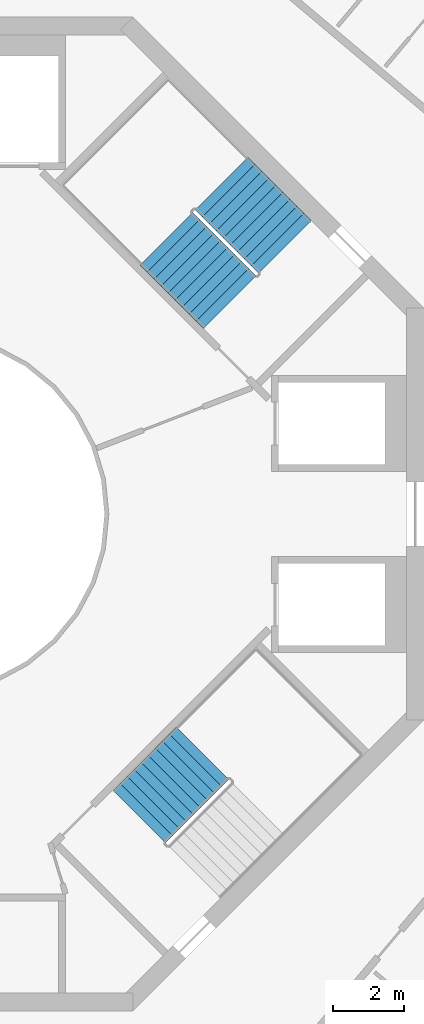
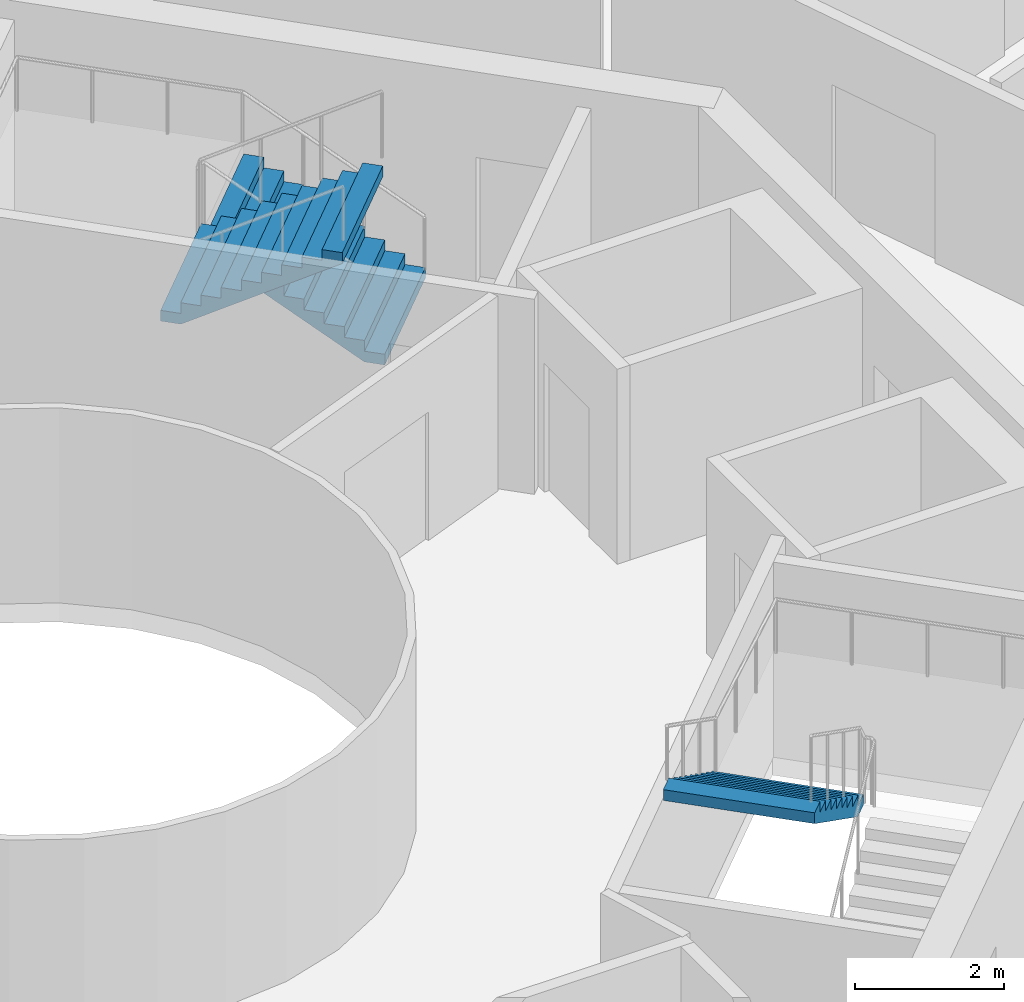
# One storey, part 21 of 22: 3 stair flights, 2 elements without a shape of their own.
"""IFC4 building model written with IfcOpenShell, lengths in metres."""

from ifc_helpers import new_model, si_unit, direction, frame, origin, place, context, subcontext, project, spatial, triangles, material, type_object, element, aggregate, save


model = new_model("IFC4")

# Units and contexts
model_context = context("Model", 3, precision=1e-05, world=origin(), true_north=direction((0.0, 1.0)))
body_context = subcontext(model_context, "Body", "Model", "MODEL_VIEW")
ifc_project = project(units=[si_unit("LENGTHUNIT", "METRE"), si_unit("AREAUNIT", "SQUARE_METRE"), si_unit("VOLUMEUNIT", "CUBIC_METRE"), si_unit("PLANEANGLEUNIT", "RADIAN"), si_unit("MASSUNIT", "GRAM", prefix="KILO")], contexts=[model_context])

# Site, building, storey
site_placement = place(None, origin())
site = spatial("IfcSite", under=ifc_project, at=site_placement, CompositionType="ELEMENT")
building_placement = place(site_placement, origin())
building = spatial("IfcBuilding", under=site, at=building_placement, Name="Verdalira Terraces Hotel", CompositionType="ELEMENT")
storey_placement = place(building_placement, frame((0.0, 0.0, 237.5)))
storey = spatial("IfcBuildingStorey", under=building, at=storey_placement, Name="L58", CompositionType="ELEMENT", Elevation=237.5)

# Stair, stair flights
ifc_material_1 = material(Name="Concrete C40", Category="concrete")
stair_type = type_object("IfcStairType", Name="Core stair 20 risers 2100 mm wide", PredefinedType="HALF_TURN_STAIR", material=ifc_material_1)
stair_1_placement = place(storey_placement, origin())
stair_1 = element("IfcStair", 1, at=stair_1_placement, inside=storey, type_object=stair_type, Name="L58 Exit stair ST1", PredefinedType="HALF_TURN_STAIR")
ifc_material_2 = material(Name="Concrete C40", Category="concrete")
stair_flight_type = type_object("IfcStairFlightType", Name="Core stair flight 20 risers 2100 mm wide", PredefinedType="STRAIGHT", material=ifc_material_2)
stair_flight_1_placement = place(storey_placement, frame((10.076172, 7.530762, 0.0), z_axis=(0.0, 0.0, 1.0), x_axis=(-0.707106781, 0.707106781, 0.0)))
stair_flight_1 = element("IfcStairFlight", 2, at=stair_flight_1_placement, type_object=stair_flight_type, Name="ST1 flight 1", NumberOfRisers=10, NumberOfTreads=9, PredefinedType="STRAIGHT", RiserHeight=0.175, TreadLength=0.28, context=body_context, shape_type="Tessellation", body=[
    triangles([(0.0, 1.050049, 0.0), (0.282715, 1.050049, 0.0), (2.52002, 1.050049, 1.398193), (0.0, -1.050049, 0.0), (0.282715, -1.050049, 0.0), (2.52002, -1.050049, 1.398193), (2.52002, 1.050049, 1.574951), (2.23999, 1.050049, 1.574951), (2.52002, -1.050049, 1.574951), (2.23999, -1.050049, 1.574951), (2.23999, 1.050049, 1.399902), (2.23999, -1.050049, 1.399902), (1.959961, 1.050049, 1.399902), (1.959961, -1.050049, 1.399902), (1.959961, 1.050049, 1.225098), (1.959961, -1.050049, 1.225098), (1.679932, 1.050049, 1.225098), (1.679932, 1.050049, 1.050049), (1.679932, -1.050049, 1.225098), (1.679932, -1.050049, 1.050049), (1.399902, 1.050049, 1.050049), (1.399902, 1.050049, 0.875), (1.399902, -1.050049, 1.050049), (1.399902, -1.050049, 0.875), (1.120117, 1.050049, 0.875), (1.120117, 1.050049, 0.699951), (1.120117, -1.050049, 0.875), (1.120117, -1.050049, 0.699951), (0.840088, 1.050049, 0.699951), (0.840088, 1.050049, 0.524902), (0.840088, -1.050049, 0.699951), (0.840088, -1.050049, 0.524902), (0.560059, 1.050049, 0.524902), (0.560059, 1.050049, 0.350098), (0.560059, -1.050049, 0.524902), (0.560059, -1.050049, 0.350098), (0.280029, 1.050049, 0.350098), (0.280029, 1.050049, 0.175049), (0.280029, -1.050049, 0.350098), (0.280029, -1.050049, 0.175049), (0.0, 1.050049, 0.175049), (0.0, -1.050049, 0.175049), (0.0, -0.984421, 0.0), (0.0, -0.984421, 0.175049), (0.0, -0.918793, 0.0), (0.0, -0.918793, 0.175049), (0.0, -0.853165, 0.0), (0.0, -0.853165, 0.175049), (0.0, -0.787537, 0.0), (0.0, -0.787537, 0.175049), (0.0, -0.721909, 0.0), (0.0, -0.721909, 0.175049), (0.0, -0.656281, 0.0), (0.0, -0.656281, 0.175049), (0.0, -0.590652, 0.0), (0.0, -0.590652, 0.175049), (0.0, -0.525024, 0.0), (0.0, -0.525024, 0.175049), (0.0, -0.459396, 0.0), (0.0, -0.459396, 0.175049), (0.0, -0.393768, 0.0), (0.0, -0.393768, 0.175049), (0.0, -0.32814, 0.0), (0.0, -0.32814, 0.175049), (0.0, -0.262512, 0.0), (0.0, -0.262512, 0.175049), (0.0, -0.196884, 0.0), (0.0, -0.196884, 0.175049), (0.0, -0.131256, 0.0), (0.0, -0.131256, 0.175049), (0.0, -0.065628, 0.0), (0.0, -0.065628, 0.175049), (0.0, 0.0, 0.0), (0.0, 0.0, 0.175049), (0.0, 0.065628, 0.0), (0.0, 0.065628, 0.175049), (0.0, 0.131256, 0.0), (0.0, 0.131256, 0.175049), (0.0, 0.196884, 0.0), (0.0, 0.196884, 0.175049), (0.0, 0.262512, 0.0), (0.0, 0.262512, 0.175049), (0.0, 0.32814, 0.0), (0.0, 0.32814, 0.175049), (0.0, 0.393768, 0.0), (0.0, 0.393768, 0.175049), (0.0, 0.459396, 0.0), (0.0, 0.459396, 0.175049), (0.0, 0.525024, 0.0), (0.0, 0.525024, 0.175049), (0.0, 0.590652, 0.0), (0.0, 0.590652, 0.175049), (0.0, 0.656281, 0.0), (0.0, 0.656281, 0.175049), (0.0, 0.721909, 0.0), (0.0, 0.721909, 0.175049), (0.0, 0.787537, 0.0), (0.0, 0.787537, 0.175049), (0.0, 0.853165, 0.0), (0.0, 0.853165, 0.175049), (0.0, 0.918793, 0.0), (0.0, 0.918793, 0.175049), (0.0, 0.984421, 0.0), (0.0, 0.984421, 0.175049), (2.52002, -0.984421, 1.574951), (2.52002, -0.918793, 1.574951), (2.52002, -0.853165, 1.574951), (2.52002, -0.787537, 1.574951), (2.52002, -0.721909, 1.574951), (2.52002, -0.656281, 1.574951), (2.52002, -0.590652, 1.574951), (2.52002, -0.525024, 1.574951), (2.52002, -0.459396, 1.574951), (2.52002, -0.393768, 1.574951), (2.52002, -0.32814, 1.574951), (2.52002, -0.262512, 1.574951), (2.52002, -0.196884, 1.574951), (2.52002, -0.131256, 1.574951), (2.52002, -0.065628, 1.574951), (2.52002, 0.0, 1.574951), (2.52002, 0.065628, 1.574951), (2.52002, 0.131256, 1.574951), (2.52002, 0.196884, 1.574951), (2.52002, 0.262512, 1.574951), (2.52002, 0.32814, 1.574951), (2.52002, 0.393768, 1.574951), (2.52002, 0.459396, 1.574951), (2.52002, 0.525024, 1.574951), (2.52002, 0.590652, 1.574951), (2.52002, 0.656281, 1.574951), (2.52002, 0.721909, 1.574951), (2.52002, 0.787537, 1.574951), (2.52002, 0.853165, 1.574951), (2.52002, 0.918793, 1.574951), (2.52002, 0.984421, 1.574951), (2.52002, -0.984421, 1.398193), (2.52002, -0.918793, 1.398193), (2.52002, -0.853165, 1.398193), (2.52002, -0.787537, 1.398193), (2.52002, -0.721909, 1.398193), (2.52002, -0.656281, 1.398193), (2.52002, -0.590652, 1.398193), (2.52002, -0.525024, 1.398193), (2.52002, -0.459396, 1.398193), (2.52002, -0.393768, 1.398193), (2.52002, -0.32814, 1.398193), (2.52002, -0.262512, 1.398193), (2.52002, -0.196884, 1.398193), (2.52002, -0.131256, 1.398193), (2.52002, -0.065628, 1.398193), (2.52002, 0.0, 1.398193), (2.52002, 0.065628, 1.398193), (2.52002, 0.131256, 1.398193), (2.52002, 0.196884, 1.398193), (2.52002, 0.262512, 1.398193), (2.52002, 0.32814, 1.398193), (2.52002, 0.393768, 1.398193), (2.52002, 0.459396, 1.398193), (2.52002, 0.525024, 1.398193), (2.52002, 0.590652, 1.398193), (2.52002, 0.656281, 1.398193), (2.52002, 0.721909, 1.398193), (2.52002, 0.787537, 1.398193), (2.52002, 0.853165, 1.398193), (2.52002, 0.918793, 1.398193), (2.52002, 0.984421, 1.398193)], [[1, 3, 2], [4, 5, 6], [3, 8, 7], [6, 9, 10], [3, 11, 8], [6, 10, 12], [3, 13, 11], [6, 12, 14], [3, 15, 13], [6, 14, 16], [15, 18, 17], [16, 19, 20], [3, 18, 15], [6, 16, 20], [18, 22, 21], [20, 23, 24], [3, 22, 18], [6, 20, 24], [22, 26, 25], [24, 27, 28], [3, 26, 22], [6, 24, 28], [26, 30, 29], [28, 31, 32], [3, 30, 26], [6, 28, 32], [1, 30, 3], [4, 6, 32], [30, 34, 33], [32, 35, 36], [34, 38, 37], [36, 39, 40], [30, 38, 34], [32, 36, 40], [1, 38, 30], [4, 32, 40], [38, 1, 41], [40, 42, 4], [4, 44, 43], [4, 42, 44], [43, 46, 45], [43, 44, 46], [45, 48, 47], [45, 46, 48], [47, 50, 49], [47, 48, 50], [49, 52, 51], [49, 50, 52], [51, 54, 53], [51, 52, 54], [53, 56, 55], [53, 54, 56], [55, 58, 57], [55, 56, 58], [57, 60, 59], [57, 58, 60], [59, 62, 61], [59, 60, 62], [61, 64, 63], [61, 62, 64], [63, 66, 65], [63, 64, 66], [65, 68, 67], [65, 66, 68], [67, 70, 69], [67, 68, 70], [69, 72, 71], [69, 70, 72], [71, 74, 73], [71, 72, 74], [73, 76, 75], [73, 74, 76], [75, 78, 77], [75, 76, 78], [77, 80, 79], [77, 78, 80], [79, 82, 81], [79, 80, 82], [81, 84, 83], [81, 82, 84], [83, 86, 85], [83, 84, 86], [85, 88, 87], [85, 86, 88], [87, 90, 89], [87, 88, 90], [89, 92, 91], [89, 90, 92], [91, 94, 93], [91, 92, 94], [93, 96, 95], [93, 94, 96], [95, 98, 97], [95, 96, 98], [97, 100, 99], [97, 98, 100], [99, 102, 101], [99, 100, 102], [101, 104, 103], [101, 102, 104], [103, 41, 1], [103, 104, 41], [42, 40, 44], [44, 40, 46], [46, 40, 48], [48, 40, 50], [50, 40, 52], [52, 40, 54], [54, 40, 56], [56, 40, 58], [58, 40, 60], [60, 40, 62], [62, 40, 64], [64, 40, 66], [66, 40, 68], [68, 40, 70], [70, 40, 72], [72, 40, 74], [74, 40, 76], [76, 40, 78], [78, 40, 80], [80, 40, 82], [82, 40, 84], [84, 40, 86], [86, 40, 88], [88, 40, 90], [90, 40, 92], [92, 40, 94], [94, 40, 96], [96, 40, 98], [98, 40, 100], [100, 40, 102], [102, 40, 104], [104, 40, 41], [41, 40, 38], [40, 37, 38], [40, 39, 37], [39, 34, 37], [39, 36, 34], [36, 33, 34], [36, 35, 33], [35, 30, 33], [35, 32, 30], [32, 29, 30], [32, 31, 29], [31, 26, 29], [31, 28, 26], [28, 25, 26], [28, 27, 25], [27, 22, 25], [27, 24, 22], [24, 21, 22], [24, 23, 21], [23, 18, 21], [23, 20, 18], [20, 17, 18], [20, 19, 17], [19, 15, 17], [19, 16, 15], [16, 13, 15], [16, 14, 13], [14, 11, 13], [14, 12, 11], [12, 8, 11], [12, 10, 8], [9, 105, 10], [105, 106, 10], [106, 107, 10], [107, 108, 10], [108, 109, 10], [109, 110, 10], [110, 111, 10], [111, 112, 10], [112, 113, 10], [113, 114, 10], [114, 115, 10], [115, 116, 10], [116, 117, 10], [117, 118, 10], [118, 119, 10], [119, 120, 10], [120, 121, 10], [121, 122, 10], [122, 123, 10], [123, 124, 10], [124, 125, 10], [125, 126, 10], [126, 127, 10], [127, 128, 10], [128, 129, 10], [129, 130, 10], [130, 131, 10], [131, 132, 10], [132, 133, 10], [133, 134, 10], [134, 135, 10], [135, 7, 10], [7, 8, 10], [9, 136, 105], [9, 6, 136], [105, 137, 106], [105, 136, 137], [106, 138, 107], [106, 137, 138], [107, 139, 108], [107, 138, 139], [108, 140, 109], [108, 139, 140], [109, 141, 110], [109, 140, 141], [110, 142, 111], [110, 141, 142], [111, 143, 112], [111, 142, 143], [112, 144, 113], [112, 143, 144], [113, 145, 114], [113, 144, 145], [114, 146, 115], [114, 145, 146], [115, 147, 116], [115, 146, 147], [116, 148, 117], [116, 147, 148], [117, 149, 118], [117, 148, 149], [118, 150, 119], [118, 149, 150], [119, 151, 120], [119, 150, 151], [120, 152, 121], [120, 151, 152], [121, 153, 122], [121, 152, 153], [122, 154, 123], [122, 153, 154], [123, 155, 124], [123, 154, 155], [124, 156, 125], [124, 155, 156], [125, 157, 126], [125, 156, 157], [126, 158, 127], [126, 157, 158], [127, 159, 128], [127, 158, 159], [128, 160, 129], [128, 159, 160], [129, 161, 130], [129, 160, 161], [130, 162, 131], [130, 161, 162], [131, 163, 132], [131, 162, 163], [132, 164, 133], [132, 163, 164], [133, 165, 134], [133, 164, 165], [134, 166, 135], [134, 165, 166], [135, 3, 7], [135, 166, 3], [6, 5, 136], [136, 5, 137], [137, 5, 138], [138, 5, 139], [139, 5, 140], [140, 5, 141], [141, 5, 142], [142, 5, 143], [143, 5, 144], [144, 5, 145], [145, 5, 146], [146, 5, 147], [147, 5, 148], [148, 5, 149], [149, 5, 150], [150, 5, 151], [151, 5, 152], [152, 5, 153], [153, 5, 154], [154, 5, 155], [155, 5, 156], [156, 5, 157], [157, 5, 158], [158, 5, 159], [159, 5, 160], [160, 5, 161], [161, 5, 162], [162, 5, 163], [163, 5, 164], [164, 5, 165], [165, 5, 166], [166, 5, 3], [3, 5, 2], [4, 43, 5], [43, 45, 5], [45, 47, 5], [47, 49, 5], [49, 51, 5], [51, 53, 5], [53, 55, 5], [55, 57, 5], [57, 59, 5], [59, 61, 5], [61, 63, 5], [63, 65, 5], [65, 67, 5], [67, 69, 5], [69, 71, 5], [71, 73, 5], [73, 75, 5], [75, 77, 5], [77, 79, 5], [79, 81, 5], [81, 83, 5], [83, 85, 5], [85, 87, 5], [87, 89, 5], [89, 91, 5], [91, 93, 5], [93, 95, 5], [95, 97, 5], [97, 99, 5], [99, 101, 5], [101, 103, 5], [103, 1, 5], [1, 2, 5]], closed=True),
])
stair_flight_2_placement = place(storey_placement, frame((6.73877, 7.75708, 1.75), z_axis=(0.0, 0.0, 1.0), x_axis=(0.707106781, -0.707106781, 0.0)))
stair_flight_2 = element("IfcStairFlight", 3, at=stair_flight_2_placement, type_object=stair_flight_type, Name="ST1 flight 2", NumberOfRisers=10, NumberOfTreads=9, PredefinedType="STRAIGHT", RiserHeight=0.175, TreadLength=0.28, context=body_context, shape_type="Tessellation", body=[
    triangles([(0.0, 1.050049, 0.0), (0.282715, 1.050049, 0.0), (2.52002, 1.050049, 1.398193), (0.0, -1.050049, 0.0), (0.282715, -1.050049, 0.0), (2.52002, -1.050049, 1.398193), (2.52002, 1.050049, 1.574951), (2.23999, 1.050049, 1.574951), (2.52002, -1.050049, 1.574951), (2.23999, -1.050049, 1.574951), (2.23999, 1.050049, 1.399902), (2.23999, -1.050049, 1.399902), (1.959961, 1.050049, 1.399902), (1.959961, -1.050049, 1.399902), (1.959961, 1.050049, 1.225098), (1.959961, -1.050049, 1.225098), (1.679932, 1.050049, 1.225098), (1.679932, 1.050049, 1.050049), (1.679932, -1.050049, 1.225098), (1.679932, -1.050049, 1.050049), (1.399902, 1.050049, 1.050049), (1.399902, 1.050049, 0.875), (1.399902, -1.050049, 1.050049), (1.399902, -1.050049, 0.875), (1.120117, 1.050049, 0.875), (1.120117, 1.050049, 0.699951), (1.120117, -1.050049, 0.875), (1.120117, -1.050049, 0.699951), (0.840088, 1.050049, 0.699951), (0.840088, 1.050049, 0.524902), (0.840088, -1.050049, 0.699951), (0.840088, -1.050049, 0.524902), (0.560059, 1.050049, 0.524902), (0.560059, 1.050049, 0.350098), (0.560059, -1.050049, 0.524902), (0.560059, -1.050049, 0.350098), (0.280029, 1.050049, 0.350098), (0.280029, 1.050049, 0.175049), (0.280029, -1.050049, 0.350098), (0.280029, -1.050049, 0.175049), (0.0, 1.050049, 0.175049), (0.0, -1.050049, 0.175049), (0.0, -0.984421, 0.0), (0.0, -0.984421, 0.175049), (0.0, -0.918793, 0.0), (0.0, -0.918793, 0.175049), (0.0, -0.853165, 0.0), (0.0, -0.853165, 0.175049), (0.0, -0.787537, 0.0), (0.0, -0.787537, 0.175049), (0.0, -0.721909, 0.0), (0.0, -0.721909, 0.175049), (0.0, -0.656281, 0.0), (0.0, -0.656281, 0.175049), (0.0, -0.590652, 0.0), (0.0, -0.590652, 0.175049), (0.0, -0.525024, 0.0), (0.0, -0.525024, 0.175049), (0.0, -0.459396, 0.0), (0.0, -0.459396, 0.175049), (0.0, -0.393768, 0.0), (0.0, -0.393768, 0.175049), (0.0, -0.32814, 0.0), (0.0, -0.32814, 0.175049), (0.0, -0.262512, 0.0), (0.0, -0.262512, 0.175049), (0.0, -0.196884, 0.0), (0.0, -0.196884, 0.175049), (0.0, -0.131256, 0.0), (0.0, -0.131256, 0.175049), (0.0, -0.065628, 0.0), (0.0, -0.065628, 0.175049), (0.0, 0.0, 0.0), (0.0, 0.0, 0.175049), (0.0, 0.065628, 0.0), (0.0, 0.065628, 0.175049), (0.0, 0.131256, 0.0), (0.0, 0.131256, 0.175049), (0.0, 0.196884, 0.0), (0.0, 0.196884, 0.175049), (0.0, 0.262512, 0.0), (0.0, 0.262512, 0.175049), (0.0, 0.32814, 0.0), (0.0, 0.32814, 0.175049), (0.0, 0.393768, 0.0), (0.0, 0.393768, 0.175049), (0.0, 0.459396, 0.0), (0.0, 0.459396, 0.175049), (0.0, 0.525024, 0.0), (0.0, 0.525024, 0.175049), (0.0, 0.590652, 0.0), (0.0, 0.590652, 0.175049), (0.0, 0.656281, 0.0), (0.0, 0.656281, 0.175049), (0.0, 0.721909, 0.0), (0.0, 0.721909, 0.175049), (0.0, 0.787537, 0.0), (0.0, 0.787537, 0.175049), (0.0, 0.853165, 0.0), (0.0, 0.853165, 0.175049), (0.0, 0.918793, 0.0), (0.0, 0.918793, 0.175049), (0.0, 0.984421, 0.0), (0.0, 0.984421, 0.175049), (2.52002, -0.984421, 1.574951), (2.52002, -0.918793, 1.574951), (2.52002, -0.853165, 1.574951), (2.52002, -0.787537, 1.574951), (2.52002, -0.721909, 1.574951), (2.52002, -0.656281, 1.574951), (2.52002, -0.590652, 1.574951), (2.52002, -0.525024, 1.574951), (2.52002, -0.459396, 1.574951), (2.52002, -0.393768, 1.574951), (2.52002, -0.32814, 1.574951), (2.52002, -0.262512, 1.574951), (2.52002, -0.196884, 1.574951), (2.52002, -0.131256, 1.574951), (2.52002, -0.065628, 1.574951), (2.52002, 0.0, 1.574951), (2.52002, 0.065628, 1.574951), (2.52002, 0.131256, 1.574951), (2.52002, 0.196884, 1.574951), (2.52002, 0.262512, 1.574951), (2.52002, 0.32814, 1.574951), (2.52002, 0.393768, 1.574951), (2.52002, 0.459396, 1.574951), (2.52002, 0.525024, 1.574951), (2.52002, 0.590652, 1.574951), (2.52002, 0.656281, 1.574951), (2.52002, 0.721909, 1.574951), (2.52002, 0.787537, 1.574951), (2.52002, 0.853165, 1.574951), (2.52002, 0.918793, 1.574951), (2.52002, 0.984421, 1.574951), (2.52002, -0.984421, 1.398193), (2.52002, -0.918793, 1.398193), (2.52002, -0.853165, 1.398193), (2.52002, -0.787537, 1.398193), (2.52002, -0.721909, 1.398193), (2.52002, -0.656281, 1.398193), (2.52002, -0.590652, 1.398193), (2.52002, -0.525024, 1.398193), (2.52002, -0.459396, 1.398193), (2.52002, -0.393768, 1.398193), (2.52002, -0.32814, 1.398193), (2.52002, -0.262512, 1.398193), (2.52002, -0.196884, 1.398193), (2.52002, -0.131256, 1.398193), (2.52002, -0.065628, 1.398193), (2.52002, 0.0, 1.398193), (2.52002, 0.065628, 1.398193), (2.52002, 0.131256, 1.398193), (2.52002, 0.196884, 1.398193), (2.52002, 0.262512, 1.398193), (2.52002, 0.32814, 1.398193), (2.52002, 0.393768, 1.398193), (2.52002, 0.459396, 1.398193), (2.52002, 0.525024, 1.398193), (2.52002, 0.590652, 1.398193), (2.52002, 0.656281, 1.398193), (2.52002, 0.721909, 1.398193), (2.52002, 0.787537, 1.398193), (2.52002, 0.853165, 1.398193), (2.52002, 0.918793, 1.398193), (2.52002, 0.984421, 1.398193)], [[1, 3, 2], [4, 5, 6], [3, 8, 7], [6, 9, 10], [3, 11, 8], [6, 10, 12], [3, 13, 11], [6, 12, 14], [3, 15, 13], [6, 14, 16], [15, 18, 17], [16, 19, 20], [3, 18, 15], [6, 16, 20], [18, 22, 21], [20, 23, 24], [3, 22, 18], [6, 20, 24], [22, 26, 25], [24, 27, 28], [3, 26, 22], [6, 24, 28], [26, 30, 29], [28, 31, 32], [3, 30, 26], [6, 28, 32], [1, 30, 3], [4, 6, 32], [30, 34, 33], [32, 35, 36], [34, 38, 37], [36, 39, 40], [30, 38, 34], [32, 36, 40], [1, 38, 30], [4, 32, 40], [38, 1, 41], [40, 42, 4], [4, 44, 43], [4, 42, 44], [43, 46, 45], [43, 44, 46], [45, 48, 47], [45, 46, 48], [47, 50, 49], [47, 48, 50], [49, 52, 51], [49, 50, 52], [51, 54, 53], [51, 52, 54], [53, 56, 55], [53, 54, 56], [55, 58, 57], [55, 56, 58], [57, 60, 59], [57, 58, 60], [59, 62, 61], [59, 60, 62], [61, 64, 63], [61, 62, 64], [63, 66, 65], [63, 64, 66], [65, 68, 67], [65, 66, 68], [67, 70, 69], [67, 68, 70], [69, 72, 71], [69, 70, 72], [71, 74, 73], [71, 72, 74], [73, 76, 75], [73, 74, 76], [75, 78, 77], [75, 76, 78], [77, 80, 79], [77, 78, 80], [79, 82, 81], [79, 80, 82], [81, 84, 83], [81, 82, 84], [83, 86, 85], [83, 84, 86], [85, 88, 87], [85, 86, 88], [87, 90, 89], [87, 88, 90], [89, 92, 91], [89, 90, 92], [91, 94, 93], [91, 92, 94], [93, 96, 95], [93, 94, 96], [95, 98, 97], [95, 96, 98], [97, 100, 99], [97, 98, 100], [99, 102, 101], [99, 100, 102], [101, 104, 103], [101, 102, 104], [103, 41, 1], [103, 104, 41], [42, 40, 44], [44, 40, 46], [46, 40, 48], [48, 40, 50], [50, 40, 52], [52, 40, 54], [54, 40, 56], [56, 40, 58], [58, 40, 60], [60, 40, 62], [62, 40, 64], [64, 40, 66], [66, 40, 68], [68, 40, 70], [70, 40, 72], [72, 40, 74], [74, 40, 76], [76, 40, 78], [78, 40, 80], [80, 40, 82], [82, 40, 84], [84, 40, 86], [86, 40, 88], [88, 40, 90], [90, 40, 92], [92, 40, 94], [94, 40, 96], [96, 40, 98], [98, 40, 100], [100, 40, 102], [102, 40, 104], [104, 40, 41], [41, 40, 38], [40, 37, 38], [40, 39, 37], [39, 34, 37], [39, 36, 34], [36, 33, 34], [36, 35, 33], [35, 30, 33], [35, 32, 30], [32, 29, 30], [32, 31, 29], [31, 26, 29], [31, 28, 26], [28, 25, 26], [28, 27, 25], [27, 22, 25], [27, 24, 22], [24, 21, 22], [24, 23, 21], [23, 18, 21], [23, 20, 18], [20, 17, 18], [20, 19, 17], [19, 15, 17], [19, 16, 15], [16, 13, 15], [16, 14, 13], [14, 11, 13], [14, 12, 11], [12, 8, 11], [12, 10, 8], [9, 105, 10], [105, 106, 10], [106, 107, 10], [107, 108, 10], [108, 109, 10], [109, 110, 10], [110, 111, 10], [111, 112, 10], [112, 113, 10], [113, 114, 10], [114, 115, 10], [115, 116, 10], [116, 117, 10], [117, 118, 10], [118, 119, 10], [119, 120, 10], [120, 121, 10], [121, 122, 10], [122, 123, 10], [123, 124, 10], [124, 125, 10], [125, 126, 10], [126, 127, 10], [127, 128, 10], [128, 129, 10], [129, 130, 10], [130, 131, 10], [131, 132, 10], [132, 133, 10], [133, 134, 10], [134, 135, 10], [135, 7, 10], [7, 8, 10], [9, 136, 105], [9, 6, 136], [105, 137, 106], [105, 136, 137], [106, 138, 107], [106, 137, 138], [107, 139, 108], [107, 138, 139], [108, 140, 109], [108, 139, 140], [109, 141, 110], [109, 140, 141], [110, 142, 111], [110, 141, 142], [111, 143, 112], [111, 142, 143], [112, 144, 113], [112, 143, 144], [113, 145, 114], [113, 144, 145], [114, 146, 115], [114, 145, 146], [115, 147, 116], [115, 146, 147], [116, 148, 117], [116, 147, 148], [117, 149, 118], [117, 148, 149], [118, 150, 119], [118, 149, 150], [119, 151, 120], [119, 150, 151], [120, 152, 121], [120, 151, 152], [121, 153, 122], [121, 152, 153], [122, 154, 123], [122, 153, 154], [123, 155, 124], [123, 154, 155], [124, 156, 125], [124, 155, 156], [125, 157, 126], [125, 156, 157], [126, 158, 127], [126, 157, 158], [127, 159, 128], [127, 158, 159], [128, 160, 129], [128, 159, 160], [129, 161, 130], [129, 160, 161], [130, 162, 131], [130, 161, 162], [131, 163, 132], [131, 162, 163], [132, 164, 133], [132, 163, 164], [133, 165, 134], [133, 164, 165], [134, 166, 135], [134, 165, 166], [135, 3, 7], [135, 166, 3], [6, 5, 136], [136, 5, 137], [137, 5, 138], [138, 5, 139], [139, 5, 140], [140, 5, 141], [141, 5, 142], [142, 5, 143], [143, 5, 144], [144, 5, 145], [145, 5, 146], [146, 5, 147], [147, 5, 148], [148, 5, 149], [149, 5, 150], [150, 5, 151], [151, 5, 152], [152, 5, 153], [153, 5, 154], [154, 5, 155], [155, 5, 156], [156, 5, 157], [157, 5, 158], [158, 5, 159], [159, 5, 160], [160, 5, 161], [161, 5, 162], [162, 5, 163], [163, 5, 164], [164, 5, 165], [165, 5, 166], [166, 5, 3], [3, 5, 2], [4, 43, 5], [43, 45, 5], [45, 47, 5], [47, 49, 5], [49, 51, 5], [51, 53, 5], [53, 55, 5], [55, 57, 5], [57, 59, 5], [59, 61, 5], [61, 63, 5], [63, 65, 5], [65, 67, 5], [67, 69, 5], [69, 71, 5], [71, 73, 5], [73, 75, 5], [75, 77, 5], [77, 79, 5], [79, 81, 5], [81, 83, 5], [83, 85, 5], [85, 87, 5], [87, 89, 5], [89, 91, 5], [91, 93, 5], [93, 95, 5], [95, 97, 5], [97, 99, 5], [99, 101, 5], [101, 103, 5], [103, 1, 5], [1, 2, 5]], closed=True),
])
aggregate(stair_1, [stair_flight_1, stair_flight_2])

# Stair, stair flight
stair_2_placement = place(storey_placement, origin())
stair_2 = element("IfcStair", 4, at=stair_2_placement, inside=storey, type_object=stair_type, Name="L58 Exit stair ST3", PredefinedType="HALF_TURN_STAIR")
stair_flight_3_placement = place(storey_placement, frame((7.75708, -6.73877, 1.75), z_axis=(0.0, 0.0, 1.0), x_axis=(-0.707106781, -0.707106781, 0.0)))
stair_flight_3 = element("IfcStairFlight", 5, at=stair_flight_3_placement, type_object=stair_flight_type, Name="ST3 flight 2", NumberOfRisers=10, NumberOfTreads=9, PredefinedType="STRAIGHT", RiserHeight=0.175, TreadLength=0.28, context=body_context, shape_type="Tessellation", body=[
    triangles([(0.0, 1.050049, 0.0), (0.282715, 1.050049, 0.0), (2.52002, 1.050049, 1.398193), (0.0, -1.050049, 0.0), (0.282715, -1.050049, 0.0), (2.52002, -1.050049, 1.398193), (2.52002, 1.050049, 1.574951), (2.23999, 1.050049, 1.574951), (2.52002, -1.050049, 1.574951), (2.23999, -1.050049, 1.574951), (2.23999, 1.050049, 1.399902), (2.23999, -1.050049, 1.399902), (1.959961, 1.050049, 1.399902), (1.959961, -1.050049, 1.399902), (1.959961, 1.050049, 1.225098), (1.959961, -1.050049, 1.225098), (1.679932, 1.050049, 1.225098), (1.679932, 1.050049, 1.050049), (1.679932, -1.050049, 1.225098), (1.679932, -1.050049, 1.050049), (1.399902, 1.050049, 1.050049), (1.399902, 1.050049, 0.875), (1.399902, -1.050049, 1.050049), (1.399902, -1.050049, 0.875), (1.120117, 1.050049, 0.875), (1.120117, 1.050049, 0.699951), (1.120117, -1.050049, 0.875), (1.120117, -1.050049, 0.699951), (0.840088, 1.050049, 0.699951), (0.840088, 1.050049, 0.524902), (0.840088, -1.050049, 0.699951), (0.840088, -1.050049, 0.524902), (0.560059, 1.050049, 0.524902), (0.560059, 1.050049, 0.350098), (0.560059, -1.050049, 0.524902), (0.560059, -1.050049, 0.350098), (0.280029, 1.050049, 0.350098), (0.280029, 1.050049, 0.175049), (0.280029, -1.050049, 0.350098), (0.280029, -1.050049, 0.175049), (0.0, 1.050049, 0.175049), (0.0, -1.050049, 0.175049), (0.0, -0.984421, 0.0), (0.0, -0.984421, 0.175049), (0.0, -0.918793, 0.0), (0.0, -0.918793, 0.175049), (0.0, -0.853165, 0.0), (0.0, -0.853165, 0.175049), (0.0, -0.787537, 0.0), (0.0, -0.787537, 0.175049), (0.0, -0.721909, 0.0), (0.0, -0.721909, 0.175049), (0.0, -0.656281, 0.0), (0.0, -0.656281, 0.175049), (0.0, -0.590652, 0.0), (0.0, -0.590652, 0.175049), (0.0, -0.525024, 0.0), (0.0, -0.525024, 0.175049), (0.0, -0.459396, 0.0), (0.0, -0.459396, 0.175049), (0.0, -0.393768, 0.0), (0.0, -0.393768, 0.175049), (0.0, -0.32814, 0.0), (0.0, -0.32814, 0.175049), (0.0, -0.262512, 0.0), (0.0, -0.262512, 0.175049), (0.0, -0.196884, 0.0), (0.0, -0.196884, 0.175049), (0.0, -0.131256, 0.0), (0.0, -0.131256, 0.175049), (0.0, -0.065628, 0.0), (0.0, -0.065628, 0.175049), (0.0, 0.0, 0.0), (0.0, 0.0, 0.175049), (0.0, 0.065628, 0.0), (0.0, 0.065628, 0.175049), (0.0, 0.131256, 0.0), (0.0, 0.131256, 0.175049), (0.0, 0.196884, 0.0), (0.0, 0.196884, 0.175049), (0.0, 0.262512, 0.0), (0.0, 0.262512, 0.175049), (0.0, 0.32814, 0.0), (0.0, 0.32814, 0.175049), (0.0, 0.393768, 0.0), (0.0, 0.393768, 0.175049), (0.0, 0.459396, 0.0), (0.0, 0.459396, 0.175049), (0.0, 0.525024, 0.0), (0.0, 0.525024, 0.175049), (0.0, 0.590652, 0.0), (0.0, 0.590652, 0.175049), (0.0, 0.656281, 0.0), (0.0, 0.656281, 0.175049), (0.0, 0.721909, 0.0), (0.0, 0.721909, 0.175049), (0.0, 0.787537, 0.0), (0.0, 0.787537, 0.175049), (0.0, 0.853165, 0.0), (0.0, 0.853165, 0.175049), (0.0, 0.918793, 0.0), (0.0, 0.918793, 0.175049), (0.0, 0.984421, 0.0), (0.0, 0.984421, 0.175049), (2.52002, -0.984421, 1.574951), (2.52002, -0.918793, 1.574951), (2.52002, -0.853165, 1.574951), (2.52002, -0.787537, 1.574951), (2.52002, -0.721909, 1.574951), (2.52002, -0.656281, 1.574951), (2.52002, -0.590652, 1.574951), (2.52002, -0.525024, 1.574951), (2.52002, -0.459396, 1.574951), (2.52002, -0.393768, 1.574951), (2.52002, -0.32814, 1.574951), (2.52002, -0.262512, 1.574951), (2.52002, -0.196884, 1.574951), (2.52002, -0.131256, 1.574951), (2.52002, -0.065628, 1.574951), (2.52002, 0.0, 1.574951), (2.52002, 0.065628, 1.574951), (2.52002, 0.131256, 1.574951), (2.52002, 0.196884, 1.574951), (2.52002, 0.262512, 1.574951), (2.52002, 0.32814, 1.574951), (2.52002, 0.393768, 1.574951), (2.52002, 0.459396, 1.574951), (2.52002, 0.525024, 1.574951), (2.52002, 0.590652, 1.574951), (2.52002, 0.656281, 1.574951), (2.52002, 0.721909, 1.574951), (2.52002, 0.787537, 1.574951), (2.52002, 0.853165, 1.574951), (2.52002, 0.918793, 1.574951), (2.52002, 0.984421, 1.574951), (2.52002, -0.984421, 1.398193), (2.52002, -0.918793, 1.398193), (2.52002, -0.853165, 1.398193), (2.52002, -0.787537, 1.398193), (2.52002, -0.721909, 1.398193), (2.52002, -0.656281, 1.398193), (2.52002, -0.590652, 1.398193), (2.52002, -0.525024, 1.398193), (2.52002, -0.459396, 1.398193), (2.52002, -0.393768, 1.398193), (2.52002, -0.32814, 1.398193), (2.52002, -0.262512, 1.398193), (2.52002, -0.196884, 1.398193), (2.52002, -0.131256, 1.398193), (2.52002, -0.065628, 1.398193), (2.52002, 0.0, 1.398193), (2.52002, 0.065628, 1.398193), (2.52002, 0.131256, 1.398193), (2.52002, 0.196884, 1.398193), (2.52002, 0.262512, 1.398193), (2.52002, 0.32814, 1.398193), (2.52002, 0.393768, 1.398193), (2.52002, 0.459396, 1.398193), (2.52002, 0.525024, 1.398193), (2.52002, 0.590652, 1.398193), (2.52002, 0.656281, 1.398193), (2.52002, 0.721909, 1.398193), (2.52002, 0.787537, 1.398193), (2.52002, 0.853165, 1.398193), (2.52002, 0.918793, 1.398193), (2.52002, 0.984421, 1.398193)], [[1, 3, 2], [4, 5, 6], [3, 8, 7], [6, 9, 10], [3, 11, 8], [6, 10, 12], [3, 13, 11], [6, 12, 14], [3, 15, 13], [6, 14, 16], [15, 18, 17], [16, 19, 20], [3, 18, 15], [6, 16, 20], [18, 22, 21], [20, 23, 24], [3, 22, 18], [6, 20, 24], [22, 26, 25], [24, 27, 28], [3, 26, 22], [6, 24, 28], [26, 30, 29], [28, 31, 32], [3, 30, 26], [6, 28, 32], [1, 30, 3], [4, 6, 32], [30, 34, 33], [32, 35, 36], [34, 38, 37], [36, 39, 40], [30, 38, 34], [32, 36, 40], [1, 38, 30], [4, 32, 40], [38, 1, 41], [40, 42, 4], [4, 44, 43], [4, 42, 44], [43, 46, 45], [43, 44, 46], [45, 48, 47], [45, 46, 48], [47, 50, 49], [47, 48, 50], [49, 52, 51], [49, 50, 52], [51, 54, 53], [51, 52, 54], [53, 56, 55], [53, 54, 56], [55, 58, 57], [55, 56, 58], [57, 60, 59], [57, 58, 60], [59, 62, 61], [59, 60, 62], [61, 64, 63], [61, 62, 64], [63, 66, 65], [63, 64, 66], [65, 68, 67], [65, 66, 68], [67, 70, 69], [67, 68, 70], [69, 72, 71], [69, 70, 72], [71, 74, 73], [71, 72, 74], [73, 76, 75], [73, 74, 76], [75, 78, 77], [75, 76, 78], [77, 80, 79], [77, 78, 80], [79, 82, 81], [79, 80, 82], [81, 84, 83], [81, 82, 84], [83, 86, 85], [83, 84, 86], [85, 88, 87], [85, 86, 88], [87, 90, 89], [87, 88, 90], [89, 92, 91], [89, 90, 92], [91, 94, 93], [91, 92, 94], [93, 96, 95], [93, 94, 96], [95, 98, 97], [95, 96, 98], [97, 100, 99], [97, 98, 100], [99, 102, 101], [99, 100, 102], [101, 104, 103], [101, 102, 104], [103, 41, 1], [103, 104, 41], [42, 40, 44], [44, 40, 46], [46, 40, 48], [48, 40, 50], [50, 40, 52], [52, 40, 54], [54, 40, 56], [56, 40, 58], [58, 40, 60], [60, 40, 62], [62, 40, 64], [64, 40, 66], [66, 40, 68], [68, 40, 70], [70, 40, 72], [72, 40, 74], [74, 40, 76], [76, 40, 78], [78, 40, 80], [80, 40, 82], [82, 40, 84], [84, 40, 86], [86, 40, 88], [88, 40, 90], [90, 40, 92], [92, 40, 94], [94, 40, 96], [96, 40, 98], [98, 40, 100], [100, 40, 102], [102, 40, 104], [104, 40, 41], [41, 40, 38], [40, 37, 38], [40, 39, 37], [39, 34, 37], [39, 36, 34], [36, 33, 34], [36, 35, 33], [35, 30, 33], [35, 32, 30], [32, 29, 30], [32, 31, 29], [31, 26, 29], [31, 28, 26], [28, 25, 26], [28, 27, 25], [27, 22, 25], [27, 24, 22], [24, 21, 22], [24, 23, 21], [23, 18, 21], [23, 20, 18], [20, 17, 18], [20, 19, 17], [19, 15, 17], [19, 16, 15], [16, 13, 15], [16, 14, 13], [14, 11, 13], [14, 12, 11], [12, 8, 11], [12, 10, 8], [9, 105, 10], [105, 106, 10], [106, 107, 10], [107, 108, 10], [108, 109, 10], [109, 110, 10], [110, 111, 10], [111, 112, 10], [112, 113, 10], [113, 114, 10], [114, 115, 10], [115, 116, 10], [116, 117, 10], [117, 118, 10], [118, 119, 10], [119, 120, 10], [120, 121, 10], [121, 122, 10], [122, 123, 10], [123, 124, 10], [124, 125, 10], [125, 126, 10], [126, 127, 10], [127, 128, 10], [128, 129, 10], [129, 130, 10], [130, 131, 10], [131, 132, 10], [132, 133, 10], [133, 134, 10], [134, 135, 10], [135, 7, 10], [7, 8, 10], [9, 136, 105], [9, 6, 136], [105, 137, 106], [105, 136, 137], [106, 138, 107], [106, 137, 138], [107, 139, 108], [107, 138, 139], [108, 140, 109], [108, 139, 140], [109, 141, 110], [109, 140, 141], [110, 142, 111], [110, 141, 142], [111, 143, 112], [111, 142, 143], [112, 144, 113], [112, 143, 144], [113, 145, 114], [113, 144, 145], [114, 146, 115], [114, 145, 146], [115, 147, 116], [115, 146, 147], [116, 148, 117], [116, 147, 148], [117, 149, 118], [117, 148, 149], [118, 150, 119], [118, 149, 150], [119, 151, 120], [119, 150, 151], [120, 152, 121], [120, 151, 152], [121, 153, 122], [121, 152, 153], [122, 154, 123], [122, 153, 154], [123, 155, 124], [123, 154, 155], [124, 156, 125], [124, 155, 156], [125, 157, 126], [125, 156, 157], [126, 158, 127], [126, 157, 158], [127, 159, 128], [127, 158, 159], [128, 160, 129], [128, 159, 160], [129, 161, 130], [129, 160, 161], [130, 162, 131], [130, 161, 162], [131, 163, 132], [131, 162, 163], [132, 164, 133], [132, 163, 164], [133, 165, 134], [133, 164, 165], [134, 166, 135], [134, 165, 166], [135, 3, 7], [135, 166, 3], [6, 5, 136], [136, 5, 137], [137, 5, 138], [138, 5, 139], [139, 5, 140], [140, 5, 141], [141, 5, 142], [142, 5, 143], [143, 5, 144], [144, 5, 145], [145, 5, 146], [146, 5, 147], [147, 5, 148], [148, 5, 149], [149, 5, 150], [150, 5, 151], [151, 5, 152], [152, 5, 153], [153, 5, 154], [154, 5, 155], [155, 5, 156], [156, 5, 157], [157, 5, 158], [158, 5, 159], [159, 5, 160], [160, 5, 161], [161, 5, 162], [162, 5, 163], [163, 5, 164], [164, 5, 165], [165, 5, 166], [166, 5, 3], [3, 5, 2], [4, 43, 5], [43, 45, 5], [45, 47, 5], [47, 49, 5], [49, 51, 5], [51, 53, 5], [53, 55, 5], [55, 57, 5], [57, 59, 5], [59, 61, 5], [61, 63, 5], [63, 65, 5], [65, 67, 5], [67, 69, 5], [69, 71, 5], [71, 73, 5], [73, 75, 5], [75, 77, 5], [77, 79, 5], [79, 81, 5], [81, 83, 5], [83, 85, 5], [85, 87, 5], [87, 89, 5], [89, 91, 5], [91, 93, 5], [93, 95, 5], [95, 97, 5], [97, 99, 5], [99, 101, 5], [101, 103, 5], [103, 1, 5], [1, 2, 5]], closed=True),
])
aggregate(stair_2, [stair_flight_3])

save(model, "model.ifc")
